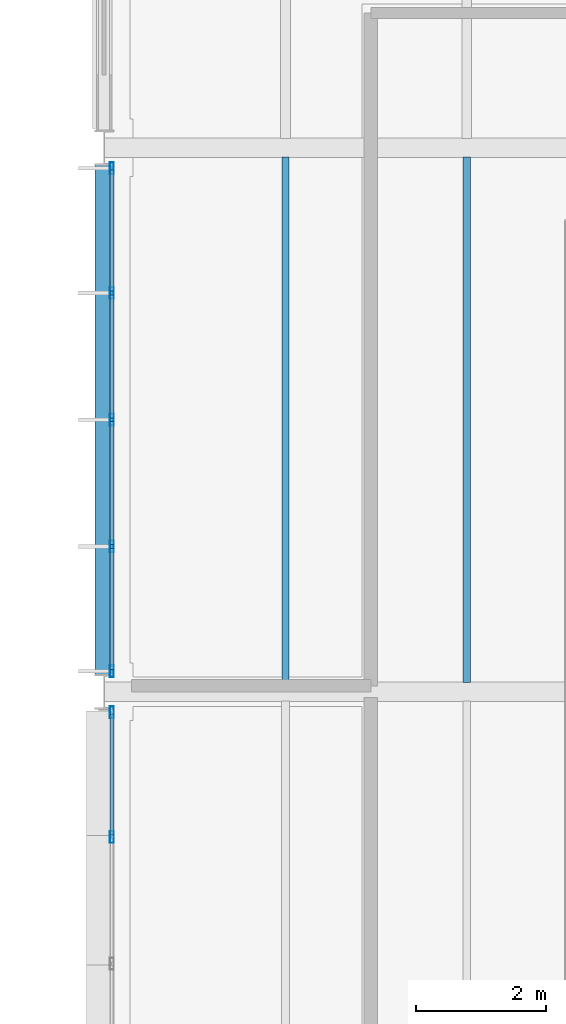
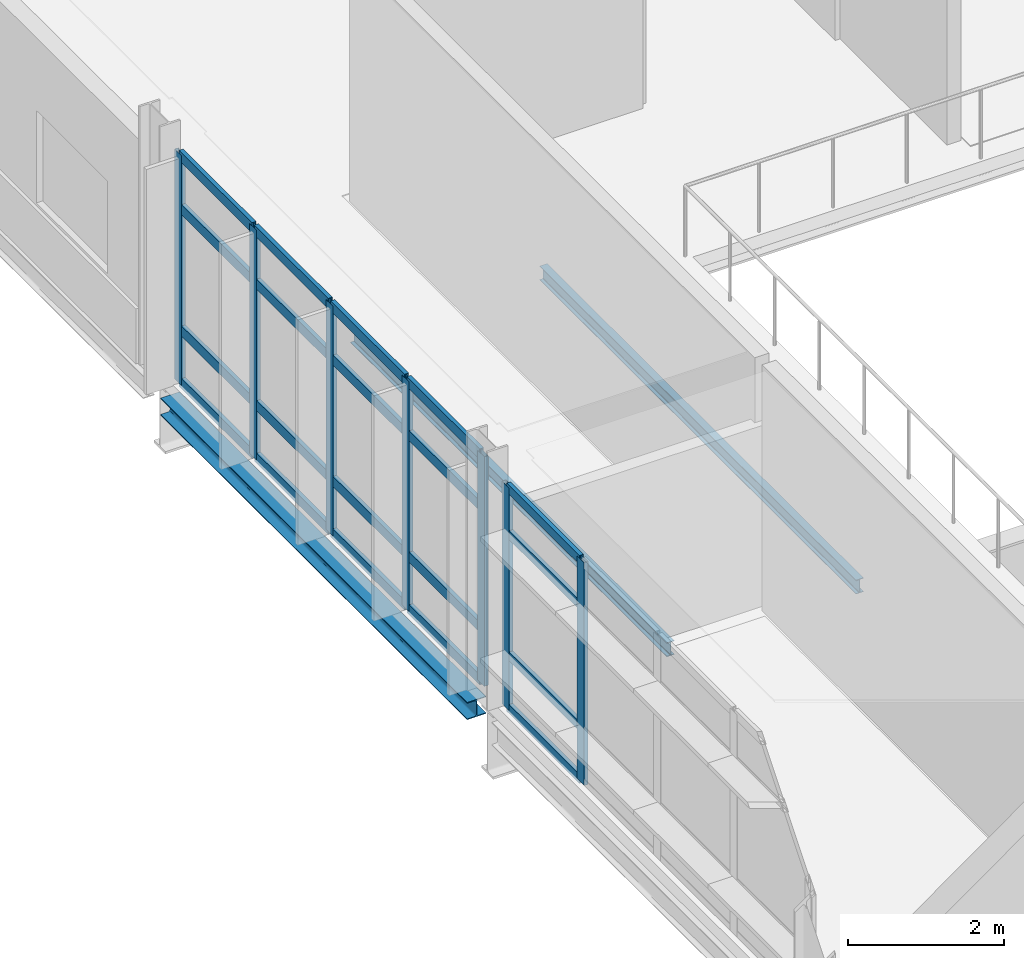
# One storey, part 51 of 131: 27 members, 3 beams, 2 elements without a shape of their own.
"""IFC4 building model written with IfcOpenShell, lengths in metres."""

import ifcopenshell
import ifcopenshell.guid

model = None  # the IFC model being written
_history = None  # IfcOwnerHistory: only IFC2X3 demands one
_inside = {}  # id of a spatial element -> (the spatial element, [elements in it])
_under = {}  # id of a project, library or spatial element -> (it, [spatial elements below it])
_declared = {}  # id of a project -> (the project, [libraries it declares])
_typed = {}  # id of a type object -> (the type object, [elements of that type])
_made_of = {}  # id of a material, layer set ... -> (it, [elements and type objects made of it])


def new_model(schema):
    """Start an empty IFC model of exactly this schema.

    Asked for "IFC4X3", IfcOpenShell would pick the latest addendum, in which some entities
    have other attributes; the version numbers below select the first issue.
    IFC2X3 requires an IfcOwnerHistory on every rooted entity: one is made here for all.
    """
    global model, _history
    if schema == "IFC4X3":
        model = ifcopenshell.file(schema_version=(4, 3, 0, 0))
    else:
        model = ifcopenshell.file(schema=schema)
    _inside.clear()
    _under.clear()
    _declared.clear()
    _typed.clear()
    _made_of.clear()
    _history = None
    if model.schema == "IFC2X3":
        org = make("IfcOrganization", Name="unknown")
        user = make(
            "IfcPersonAndOrganization",
            ThePerson=make("IfcPerson", FamilyName="unknown"),
            TheOrganization=org,
        )
        app = make(
            "IfcApplication",
            ApplicationDeveloper=org,
            Version="unknown",
            ApplicationFullName="unknown",
            ApplicationIdentifier="unknown",
        )
        _history = make(
            "IfcOwnerHistory",
            OwningUser=user,
            OwningApplication=app,
            ChangeAction="ADDED",
            CreationDate=0,
        )
    return model


def make(cls, **values):
    """One entity of the class cls with the attributes given. An attribute that is None is left unset."""
    return model.create_entity(
        cls, **{name: value for name, value in values.items() if value is not None}
    )


def rooted(cls, **values):
    """An entity with a GlobalId (a new one), such as an element, a storey or a relation."""
    return make(cls, GlobalId=ifcopenshell.guid.new(), OwnerHistory=_history, **values)


def si_unit(unit_type, name, prefix=None):
    """IfcSIUnit, for example si_unit("LENGTHUNIT", "METRE", prefix="MILLI")."""
    return make("IfcSIUnit", UnitType=unit_type, Prefix=prefix, Name=name)


def assignment(units):
    """IfcUnitAssignment: the units of a project."""
    return None if units is None else make("IfcUnitAssignment", Units=units)


def point(xyz):
    """IfcCartesianPoint."""
    return None if xyz is None else make("IfcCartesianPoint", Coordinates=xyz)


def direction(xyz):
    """IfcDirection."""
    return None if xyz is None else make("IfcDirection", DirectionRatios=xyz)


def frame(location, z_axis=None, x_axis=None):
    """IfcAxis2Placement3D, a coordinate frame: its origin and axes. An axis left out is left unset."""
    return make(
        "IfcAxis2Placement3D",
        Location=point(location),
        Axis=direction(z_axis),
        RefDirection=direction(x_axis),
    )


def frame_2d(location, x_axis=None):
    """IfcAxis2Placement2D, a coordinate frame in the plane: its origin and x axis."""
    return make(
        "IfcAxis2Placement2D", Location=point(location), RefDirection=direction(x_axis)
    )


def origin():
    """The frame at (0, 0, 0) with its axes left unset."""
    return frame((0.0, 0.0, 0.0))


def origin_2d():
    """The frame at (0, 0) in the plane with its x axis left unset."""
    return frame_2d((0.0, 0.0))


def place(relative_to, where):
    """IfcLocalPlacement: puts the frame where relative to a parent placement (None: the world)."""
    return make(
        "IfcLocalPlacement", PlacementRelTo=relative_to, RelativePlacement=where
    )


def context(
    kind, dimensions, precision=None, world=None, true_north=None, identifier=None
):
    """IfcGeometricRepresentationContext, for example the 3D "Model" context."""
    return make(
        "IfcGeometricRepresentationContext",
        ContextIdentifier=identifier,
        ContextType=kind,
        CoordinateSpaceDimension=dimensions,
        Precision=precision,
        WorldCoordinateSystem=world,
        TrueNorth=true_north,
    )


def subcontext(parent, identifier, kind, view, scale=None):
    """IfcGeometricRepresentationSubContext, for example "Body" below "Model"."""
    return make(
        "IfcGeometricRepresentationSubContext",
        ContextIdentifier=identifier,
        ContextType=kind,
        ParentContext=parent,
        TargetScale=scale,
        TargetView=view,
    )


def project(units=None, contexts=None):
    """IfcProject with its units and contexts."""
    return rooted(
        "IfcProject",
        Name="project",
        RepresentationContexts=contexts,
        UnitsInContext=assignment(units),
    )


def spatial(cls, under=None, at=None, **own):
    """A site, building, storey or space (cls), placed at a placement, below another one or the project."""
    s = rooted(cls, ObjectPlacement=at, **own)
    if under is not None:
        _under.setdefault(under.id(), (under, []))[1].append(s)
    return s


def profile(cls, at=None, kind="AREA", **sizes):
    """A parametric profile (cls). Its sizes go by their IFC names, for example OverallWidth=200.0."""
    return make(cls, ProfileType=kind, Position=at, **sizes)


def hollow_rectangle(**sizes):
    """IfcRectangleHollowProfileDef."""
    return profile("IfcRectangleHollowProfileDef", **sizes)


def i_section(**sizes):
    """IfcIShapeProfileDef."""
    return profile("IfcIShapeProfileDef", **sizes)


def extrude(swept, where, along, depth):
    """IfcExtrudedAreaSolid: the profile swept, set in the frame where, extruded along a direction by depth."""
    return make(
        "IfcExtrudedAreaSolid",
        SweptArea=swept,
        Position=where,
        ExtrudedDirection=direction(along),
        Depth=depth,
    )


def shape(context_of_items, identifier, shape_type, items):
    """IfcShapeRepresentation: the items that make up one representation, for example the "Body"."""
    return make(
        "IfcShapeRepresentation",
        ContextOfItems=context_of_items,
        RepresentationIdentifier=identifier,
        RepresentationType=shape_type,
        Items=items,
    )


def material(Name=None, Category=None):
    """IfcMaterial."""
    return make("IfcMaterial", Name=Name, Category=Category)


def material_profile(
    of_material, cross_section, Name=None, Category=None, Priority=None
):
    """IfcMaterialProfile: a cross section and its material."""
    return make(
        "IfcMaterialProfile",
        Name=Name,
        Material=of_material,
        Profile=cross_section,
        Priority=Priority,
        Category=Category,
    )


def profile_set(profiles, Name=None, composite=None):
    """IfcMaterialProfileSet."""
    return make(
        "IfcMaterialProfileSet",
        Name=Name,
        MaterialProfiles=profiles,
        CompositeProfile=composite,
    )


def made_of(thing, what):
    """Note that an element or type object is made of a material, layer set ...; save() writes the relation."""
    if what is not None:
        _made_of.setdefault(what.id(), (what, []))[1].append(thing)
    return thing


def type_object(cls, material=None, **own):
    """A type object (cls), such as IfcWallType, which elements share."""
    return made_of(rooted(cls, **own), material)


def element(
    cls,
    number,
    at=None,
    inside=None,
    cuts=None,
    type_object=None,
    material=None,
    context=None,
    identifier="Body",
    shape_type=None,
    held_by="IfcProductDefinitionShape",
    body=None,
    shapes=None,
    **own,
):
    """One element of the class cls, such as IfcWall. Its Tag is "e" and its number.

    at: its placement. inside: the storey or other place that contains it. cuts: it is an
    opening in that element (IfcRelVoidsElement). A single representation is given by context,
    identifier, shape_type and body (its items); several are given by shapes. held_by: the class
    of the entity that holds the representations. save() writes the other relations.
    """
    e = rooted(cls, Tag="e%d" % number, ObjectPlacement=at, **own)
    if body is not None:
        shapes = [shape(context, identifier, shape_type, body)]
    if shapes is not None:
        e.Representation = make(held_by, Representations=shapes)
    if inside is not None:
        _inside.setdefault(inside.id(), (inside, []))[1].append(e)
    if cuts is not None:
        rooted(
            "IfcRelVoidsElement", RelatingBuildingElement=cuts, RelatedOpeningElement=e
        )
    if type_object is not None:
        _typed.setdefault(type_object.id(), (type_object, []))[1].append(e)
    return made_of(e, material)


def aggregate(whole, parts):
    """IfcRelAggregates: a whole, such as a stair, and the parts it consists of."""
    return rooted("IfcRelAggregates", RelatingObject=whole, RelatedObjects=parts)


def save(model, path):
    """Write the relations noted so far, then the file.

    IfcRelAggregates (storeys below a building ...), IfcRelContainedInSpatialStructure (elements
    in a storey), IfcRelDefinesByType, IfcRelAssociatesMaterial and IfcRelDeclares: one each for
    every whole, place, type object, material and project.
    """
    for whole, parts in _under.values():
        aggregate(whole, parts)
    for where, things in _inside.values():
        rooted(
            "IfcRelContainedInSpatialStructure",
            RelatedElements=things,
            RelatingStructure=where,
        )
    for kind, things in _typed.values():
        rooted("IfcRelDefinesByType", RelatedObjects=things, RelatingType=kind)
    for what, things in _made_of.values():
        rooted("IfcRelAssociatesMaterial", RelatedObjects=things, RelatingMaterial=what)
    for by, libraries in _declared.values():
        rooted("IfcRelDeclares", RelatingContext=by, RelatedDefinitions=libraries)
    model.write(path)


model = new_model("IFC4")

# Units and contexts
model_context = context("Model", 3, precision=1e-05, world=origin(), true_north=direction((0.0, 1.0)))
body_context = subcontext(model_context, "Body", "Model", "MODEL_VIEW")
ifc_project = project(units=[si_unit("LENGTHUNIT", "METRE"), si_unit("AREAUNIT", "SQUARE_METRE"), si_unit("VOLUMEUNIT", "CUBIC_METRE"), si_unit("PLANEANGLEUNIT", "RADIAN"), si_unit("MASSUNIT", "GRAM", prefix="KILO")], contexts=[model_context])

# Site, building, storey
site_placement = place(None, origin())
site = spatial("IfcSite", under=ifc_project, at=site_placement, CompositionType="ELEMENT")
building_placement = place(site_placement, origin())
building = spatial("IfcBuilding", under=site, at=building_placement, Name="Mersafa Astral City Hall", CompositionType="ELEMENT")
storey_placement = place(building_placement, frame((0.0, 0.0, 13.949951171875)))
storey = spatial("IfcBuildingStorey", under=building, at=storey_placement, Name="L03", CompositionType="ELEMENT", Elevation=13.949951171875)

# Curtain wall, members
ifc_material_1 = material(Name="Anodised bronze aluminium framing", Category="aluminium")
curtain_wall_type_1 = type_object("IfcCurtainWallType", Name="ENV-CW-1", PredefinedType="USERDEFINED", material=ifc_material_1)
curtain_wall_1_placement = place(storey_placement, origin())
curtain_wall_1 = element("IfcCurtainWall", 1, at=curtain_wall_1_placement, inside=storey, type_object=curtain_wall_type_1, Name="L03 Unitised solar curtain wall 186", ObjectType="UNITISED CURTAIN WALL", PredefinedType="USERDEFINED")
ifc_material_profile_1 = material_profile(ifc_material_1, hollow_rectangle(XDim=0.06005859375, YDim=0.179931640625, WallThickness=0.00390625, at=origin_2d()), Name="RHS 60x180x4")
ifc_profile_set_1 = profile_set([ifc_material_profile_1], Name="Anodised bronze aluminium framing")
member_type_1 = type_object("IfcMemberType", Name="ENV-CW-MUL-1", PredefinedType="MULLION", material=ifc_profile_set_1)
member_1_placement = place(storey_placement, frame((92.52001953125, 75.282958984375, -0.001953125), z_axis=(0.0, 0.0, 1.0), x_axis=(1.0, 0.0, 0.0)))
member_1 = element("IfcMember", 2, at=member_1_placement, type_object=member_type_1, Name="CW-1 mullion 1", PredefinedType="MULLION", context=body_context, shape_type="SweptSolid", body=[
    extrude(hollow_rectangle(XDim=0.06005859375, YDim=0.179931640625, WallThickness=0.00390625, at=origin_2d()), origin(), (0.0, 0.0, 1.0), 3.593994140625),
])
member_2_placement = place(storey_placement, frame((92.52001953125, 73.3564453125, -0.001953125), z_axis=(0.0, 0.0, 1.0), x_axis=(1.0, 0.0, 0.0)))
member_2 = element("IfcMember", 3, at=member_2_placement, type_object=member_type_1, Name="CW-1 mullion 2", PredefinedType="MULLION", context=body_context, shape_type="SweptSolid", body=[
    extrude(hollow_rectangle(XDim=0.06005859375, YDim=0.179931640625, WallThickness=0.00390625, at=origin_2d()), origin(), (0.0, 0.0, 1.0), 3.593994140625),
])
member_3_placement = place(storey_placement, frame((92.52001953125, 71.39990234375, -0.001953125), z_axis=(0.0, 0.0, 1.0), x_axis=(1.0, 0.0, 0.0)))
member_3 = element("IfcMember", 4, at=member_3_placement, type_object=member_type_1, Name="CW-1 mullion 3", PredefinedType="MULLION", context=body_context, shape_type="SweptSolid", body=[
    extrude(hollow_rectangle(XDim=0.06005859375, YDim=0.179931640625, WallThickness=0.00390625, at=origin_2d()), origin(), (0.0, 0.0, 1.0), 3.593994140625),
])
member_4_placement = place(storey_placement, frame((92.52001953125, 69.443603515625, -0.001953125), z_axis=(0.0, 0.0, 1.0), x_axis=(1.0, 0.0, 0.0)))
member_4 = element("IfcMember", 5, at=member_4_placement, type_object=member_type_1, Name="CW-1 mullion 4", PredefinedType="MULLION", context=body_context, shape_type="SweptSolid", body=[
    extrude(hollow_rectangle(XDim=0.06005859375, YDim=0.179931640625, WallThickness=0.00390625, at=origin_2d()), origin(), (0.0, 0.0, 1.0), 3.593994140625),
])
member_5_placement = place(storey_placement, frame((92.52001953125, 67.51708984375, -0.001953125), z_axis=(0.0, 0.0, 1.0), x_axis=(1.0, 0.0, 0.0)))
member_5 = element("IfcMember", 6, at=member_5_placement, type_object=member_type_1, Name="CW-1 mullion 5", PredefinedType="MULLION", context=body_context, shape_type="SweptSolid", body=[
    extrude(hollow_rectangle(XDim=0.06005859375, YDim=0.179931640625, WallThickness=0.00390625, at=origin_2d()), origin(), (0.0, 0.0, 1.0), 3.593994140625),
])

curtain_wall_type_2 = type_object("IfcCurtainWallType", Name="ENV-CW-2", PredefinedType="USERDEFINED", material=ifc_material_1)
curtain_wall_2_placement = place(storey_placement, origin())
curtain_wall_2 = element("IfcCurtainWall", 7, at=curtain_wall_2_placement, inside=storey, type_object=curtain_wall_type_2, Name="L03 Unitised solar curtain wall 187", ObjectType="UNITISED CURTAIN WALL", PredefinedType="USERDEFINED")
member_6_placement = place(storey_placement, frame((92.52001953125, 66.883056640625, -0.001953125), z_axis=(0.0, 0.0, 1.0), x_axis=(1.0, 0.0, 0.0)))
member_6 = element("IfcMember", 8, at=member_6_placement, type_object=member_type_1, Name="CW-2 mullion 1", PredefinedType="MULLION", context=body_context, shape_type="SweptSolid", body=[
    extrude(hollow_rectangle(XDim=0.06005859375, YDim=0.179931640625, WallThickness=0.00390625, at=origin_2d()), origin(), (0.0, 0.0, 1.0), 3.489013671875),
])
member_7_placement = place(storey_placement, frame((92.52001953125, 64.95654296875, -0.001953125), z_axis=(0.0, 0.0, 1.0), x_axis=(1.0, 0.0, 0.0)))
member_7 = element("IfcMember", 9, at=member_7_placement, type_object=member_type_1, Name="CW-2 mullion 2", PredefinedType="MULLION", context=body_context, shape_type="SweptSolid", body=[
    extrude(hollow_rectangle(XDim=0.06005859375, YDim=0.179931640625, WallThickness=0.00390625, at=origin_2d()), origin(), (0.0, 0.0, 1.0), 3.489013671875),
])
ifc_material_profile_2 = material_profile(ifc_material_1, hollow_rectangle(XDim=0.06005859375, YDim=0.139892578125, WallThickness=0.00390625, at=origin_2d()), Name="RHS 60x140x4")
ifc_profile_set_2 = profile_set([ifc_material_profile_2], Name="Anodised bronze aluminium framing")
member_type_2 = type_object("IfcMemberType", Name="ENV-CW-TRN-1", PredefinedType="USERDEFINED", material=ifc_profile_set_2)
member_8_placement = place(storey_placement, frame((92.52001953125, 66.85302734375, 0.028076171875), z_axis=(0.0, -1.0, 0.0), x_axis=(1.0, 0.0, 0.0)))
member_8 = element("IfcMember", 10, at=member_8_placement, type_object=member_type_2, Name="CW-2 transom 1.1", ObjectType="TRANSOM", PredefinedType="USERDEFINED", context=body_context, shape_type="SweptSolid", body=[
    extrude(hollow_rectangle(XDim=0.06005859375, YDim=0.139892578125, WallThickness=0.00390625, at=origin_2d()), origin(), (0.0, 0.0, 1.0), 1.866455078125),
])
member_9_placement = place(storey_placement, frame((92.52001953125, 66.85302734375, 0.85009765625), z_axis=(0.0, -1.0, 0.0), x_axis=(1.0, 0.0, 0.0)))
member_9 = element("IfcMember", 11, at=member_9_placement, type_object=member_type_2, Name="CW-2 transom 1.2", ObjectType="TRANSOM", PredefinedType="USERDEFINED", context=body_context, shape_type="SweptSolid", body=[
    extrude(hollow_rectangle(XDim=0.06005859375, YDim=0.139892578125, WallThickness=0.00390625, at=origin_2d()), origin(), (0.0, 0.0, 1.0), 1.866455078125),
])
member_10_placement = place(storey_placement, frame((92.52001953125, 66.85302734375, 2.75), z_axis=(0.0, -1.0, 0.0), x_axis=(1.0, 0.0, 0.0)))
member_10 = element("IfcMember", 12, at=member_10_placement, type_object=member_type_2, Name="CW-2 transom 1.3", ObjectType="TRANSOM", PredefinedType="USERDEFINED", context=body_context, shape_type="SweptSolid", body=[
    extrude(hollow_rectangle(XDim=0.06005859375, YDim=0.139892578125, WallThickness=0.00390625, at=origin_2d()), origin(), (0.0, 0.0, 1.0), 1.866455078125),
])
member_11_placement = place(storey_placement, frame((92.52001953125, 66.85302734375, 3.45703125), z_axis=(0.0, -1.0, 0.0), x_axis=(1.0, 0.0, 0.0)))
member_11 = element("IfcMember", 13, at=member_11_placement, type_object=member_type_2, Name="CW-2 transom 1.4", ObjectType="TRANSOM", PredefinedType="USERDEFINED", context=body_context, shape_type="SweptSolid", body=[
    extrude(hollow_rectangle(XDim=0.06005859375, YDim=0.139892578125, WallThickness=0.00390625, at=origin_2d()), origin(), (0.0, 0.0, 1.0), 1.866455078125),
])
aggregate(curtain_wall_2, [member_6, member_7, member_8, member_9, member_10, member_11])

# Member
ifc_material_profile_3 = material_profile(ifc_material_1, hollow_rectangle(XDim=0.06005859375, YDim=0.159912109375, WallThickness=0.00390625, at=origin_2d()), Name="RHS 60x160x4")
ifc_profile_set_3 = profile_set([ifc_material_profile_3], Name="Anodised bronze aluminium framing")
member_type_3 = type_object("IfcMemberType", Name="ENV-CW-TRN-2", PredefinedType="USERDEFINED", material=ifc_profile_set_3)
member_12_placement = place(storey_placement, frame((92.52001953125, 75.2529296875, 0.028076171875), z_axis=(0.0, -1.0, 0.0), x_axis=(1.0, 0.0, 0.0)))
member_12 = element("IfcMember", 14, at=member_12_placement, type_object=member_type_3, Name="CW-1 transom 1.1", ObjectType="TRANSOM", PredefinedType="USERDEFINED", context=body_context, shape_type="SweptSolid", body=[
    extrude(hollow_rectangle(XDim=0.06005859375, YDim=0.159912109375, WallThickness=0.00390625, at=origin_2d()), origin(), (0.0, 0.0, 1.0), 1.866455078125),
])

member_13_placement = place(storey_placement, frame((92.52001953125, 75.2529296875, 0.85009765625), z_axis=(0.0, -1.0, 0.0), x_axis=(1.0, 0.0, 0.0)))
member_13 = element("IfcMember", 15, at=member_13_placement, type_object=member_type_3, Name="CW-1 transom 1.2", ObjectType="TRANSOM", PredefinedType="USERDEFINED", context=body_context, shape_type="SweptSolid", body=[
    extrude(hollow_rectangle(XDim=0.06005859375, YDim=0.159912109375, WallThickness=0.00390625, at=origin_2d()), origin(), (0.0, 0.0, 1.0), 1.866455078125),
])

member_14_placement = place(storey_placement, frame((92.52001953125, 75.2529296875, 2.75), z_axis=(0.0, -1.0, 0.0), x_axis=(1.0, 0.0, 0.0)))
member_14 = element("IfcMember", 16, at=member_14_placement, type_object=member_type_3, Name="CW-1 transom 1.3", ObjectType="TRANSOM", PredefinedType="USERDEFINED", context=body_context, shape_type="SweptSolid", body=[
    extrude(hollow_rectangle(XDim=0.06005859375, YDim=0.159912109375, WallThickness=0.00390625, at=origin_2d()), origin(), (0.0, 0.0, 1.0), 1.866455078125),
])

member_15_placement = place(storey_placement, frame((92.52001953125, 75.2529296875, 3.56201171875), z_axis=(0.0, -1.0, 0.0), x_axis=(1.0, 0.0, 0.0)))
member_15 = element("IfcMember", 17, at=member_15_placement, type_object=member_type_3, Name="CW-1 transom 1.4", ObjectType="TRANSOM", PredefinedType="USERDEFINED", context=body_context, shape_type="SweptSolid", body=[
    extrude(hollow_rectangle(XDim=0.06005859375, YDim=0.159912109375, WallThickness=0.00390625, at=origin_2d()), origin(), (0.0, 0.0, 1.0), 1.866455078125),
])

member_16_placement = place(storey_placement, frame((92.52001953125, 73.326416015625, 0.028076171875), z_axis=(0.0, -1.0, 0.0), x_axis=(1.0, 0.0, 0.0)))
member_16 = element("IfcMember", 18, at=member_16_placement, type_object=member_type_3, Name="CW-1 transom 2.1", ObjectType="TRANSOM", PredefinedType="USERDEFINED", context=body_context, shape_type="SweptSolid", body=[
    extrude(hollow_rectangle(XDim=0.06005859375, YDim=0.159912109375, WallThickness=0.00390625, at=origin_2d()), origin(), (0.0, 0.0, 1.0), 1.896484375),
])

member_17_placement = place(storey_placement, frame((92.52001953125, 73.326416015625, 0.85009765625), z_axis=(0.0, -1.0, 0.0), x_axis=(1.0, 0.0, 0.0)))
member_17 = element("IfcMember", 19, at=member_17_placement, type_object=member_type_3, Name="CW-1 transom 2.2", ObjectType="TRANSOM", PredefinedType="USERDEFINED", context=body_context, shape_type="SweptSolid", body=[
    extrude(hollow_rectangle(XDim=0.06005859375, YDim=0.159912109375, WallThickness=0.00390625, at=origin_2d()), origin(), (0.0, 0.0, 1.0), 1.896484375),
])

member_18_placement = place(storey_placement, frame((92.52001953125, 73.326416015625, 2.75), z_axis=(0.0, -1.0, 0.0), x_axis=(1.0, 0.0, 0.0)))
member_18 = element("IfcMember", 20, at=member_18_placement, type_object=member_type_3, Name="CW-1 transom 2.3", ObjectType="TRANSOM", PredefinedType="USERDEFINED", context=body_context, shape_type="SweptSolid", body=[
    extrude(hollow_rectangle(XDim=0.06005859375, YDim=0.159912109375, WallThickness=0.00390625, at=origin_2d()), origin(), (0.0, 0.0, 1.0), 1.896484375),
])

member_19_placement = place(storey_placement, frame((92.52001953125, 73.326416015625, 3.56201171875), z_axis=(0.0, -1.0, 0.0), x_axis=(1.0, 0.0, 0.0)))
member_19 = element("IfcMember", 21, at=member_19_placement, type_object=member_type_3, Name="CW-1 transom 2.4", ObjectType="TRANSOM", PredefinedType="USERDEFINED", context=body_context, shape_type="SweptSolid", body=[
    extrude(hollow_rectangle(XDim=0.06005859375, YDim=0.159912109375, WallThickness=0.00390625, at=origin_2d()), origin(), (0.0, 0.0, 1.0), 1.896484375),
])

member_20_placement = place(storey_placement, frame((92.52001953125, 71.3701171875, 0.028076171875), z_axis=(0.0, -1.0, 0.0), x_axis=(1.0, 0.0, 0.0)))
member_20 = element("IfcMember", 22, at=member_20_placement, type_object=member_type_3, Name="CW-1 transom 3.1", ObjectType="TRANSOM", PredefinedType="USERDEFINED", context=body_context, shape_type="SweptSolid", body=[
    extrude(hollow_rectangle(XDim=0.06005859375, YDim=0.159912109375, WallThickness=0.00390625, at=origin_2d()), origin(), (0.0, 0.0, 1.0), 1.896728515625),
])

member_21_placement = place(storey_placement, frame((92.52001953125, 71.3701171875, 0.85009765625), z_axis=(0.0, -1.0, 0.0), x_axis=(1.0, 0.0, 0.0)))
member_21 = element("IfcMember", 23, at=member_21_placement, type_object=member_type_3, Name="CW-1 transom 3.2", ObjectType="TRANSOM", PredefinedType="USERDEFINED", context=body_context, shape_type="SweptSolid", body=[
    extrude(hollow_rectangle(XDim=0.06005859375, YDim=0.159912109375, WallThickness=0.00390625, at=origin_2d()), origin(), (0.0, 0.0, 1.0), 1.896728515625),
])

member_22_placement = place(storey_placement, frame((92.52001953125, 71.3701171875, 2.75), z_axis=(0.0, -1.0, 0.0), x_axis=(1.0, 0.0, 0.0)))
member_22 = element("IfcMember", 24, at=member_22_placement, type_object=member_type_3, Name="CW-1 transom 3.3", ObjectType="TRANSOM", PredefinedType="USERDEFINED", context=body_context, shape_type="SweptSolid", body=[
    extrude(hollow_rectangle(XDim=0.06005859375, YDim=0.159912109375, WallThickness=0.00390625, at=origin_2d()), origin(), (0.0, 0.0, 1.0), 1.896728515625),
])

member_23_placement = place(storey_placement, frame((92.52001953125, 71.3701171875, 3.56201171875), z_axis=(0.0, -1.0, 0.0), x_axis=(1.0, 0.0, 0.0)))
member_23 = element("IfcMember", 25, at=member_23_placement, type_object=member_type_3, Name="CW-1 transom 3.4", ObjectType="TRANSOM", PredefinedType="USERDEFINED", context=body_context, shape_type="SweptSolid", body=[
    extrude(hollow_rectangle(XDim=0.06005859375, YDim=0.159912109375, WallThickness=0.00390625, at=origin_2d()), origin(), (0.0, 0.0, 1.0), 1.896728515625),
])

member_24_placement = place(storey_placement, frame((92.52001953125, 69.41357421875, 0.028076171875), z_axis=(0.0, -1.0, 0.0), x_axis=(1.0, 0.0, 0.0)))
member_24 = element("IfcMember", 26, at=member_24_placement, type_object=member_type_3, Name="CW-1 transom 4.1", ObjectType="TRANSOM", PredefinedType="USERDEFINED", context=body_context, shape_type="SweptSolid", body=[
    extrude(hollow_rectangle(XDim=0.06005859375, YDim=0.159912109375, WallThickness=0.00390625, at=origin_2d()), origin(), (0.0, 0.0, 1.0), 1.866455078125),
])

member_25_placement = place(storey_placement, frame((92.52001953125, 69.41357421875, 0.85009765625), z_axis=(0.0, -1.0, 0.0), x_axis=(1.0, 0.0, 0.0)))
member_25 = element("IfcMember", 27, at=member_25_placement, type_object=member_type_3, Name="CW-1 transom 4.2", ObjectType="TRANSOM", PredefinedType="USERDEFINED", context=body_context, shape_type="SweptSolid", body=[
    extrude(hollow_rectangle(XDim=0.06005859375, YDim=0.159912109375, WallThickness=0.00390625, at=origin_2d()), origin(), (0.0, 0.0, 1.0), 1.866455078125),
])

member_26_placement = place(storey_placement, frame((92.52001953125, 69.41357421875, 2.75), z_axis=(0.0, -1.0, 0.0), x_axis=(1.0, 0.0, 0.0)))
member_26 = element("IfcMember", 28, at=member_26_placement, type_object=member_type_3, Name="CW-1 transom 4.3", ObjectType="TRANSOM", PredefinedType="USERDEFINED", context=body_context, shape_type="SweptSolid", body=[
    extrude(hollow_rectangle(XDim=0.06005859375, YDim=0.159912109375, WallThickness=0.00390625, at=origin_2d()), origin(), (0.0, 0.0, 1.0), 1.866455078125),
])

member_27_placement = place(storey_placement, frame((92.52001953125, 69.41357421875, 3.56201171875), z_axis=(0.0, -1.0, 0.0), x_axis=(1.0, 0.0, 0.0)))
member_27 = element("IfcMember", 29, at=member_27_placement, type_object=member_type_3, Name="CW-1 transom 4.4", ObjectType="TRANSOM", PredefinedType="USERDEFINED", context=body_context, shape_type="SweptSolid", body=[
    extrude(hollow_rectangle(XDim=0.06005859375, YDim=0.159912109375, WallThickness=0.00390625, at=origin_2d()), origin(), (0.0, 0.0, 1.0), 1.866455078125),
])

aggregate(curtain_wall_1, [member_1, member_2, member_3, member_4, member_5, member_12, member_13, member_14, member_15, member_16, member_17, member_18, member_19, member_20, member_21, member_22, member_23, member_24, member_25, member_26, member_27])

# Beams
ifc_material_2 = material(Name="Steel S355", Category="steel")
ifc_material_profile_4 = material_profile(ifc_material_2, i_section(OverallWidth=0.110107421875, OverallDepth=0.219970703125, WebThickness=0.005859375, FlangeThickness=0.00927734375, FilletRadius=0.011962890625, at=origin_2d()), Name="IPE 220")
ifc_profile_set_4 = profile_set([ifc_material_profile_4], Name="Steel S355")
beam_type_1 = type_object("IfcBeamType", Name="STR-BM-JOIST-IPE220", PredefinedType="JOIST", material=ifc_profile_set_4)
for number, where, z_axis, x_axis, name in (
    (30, (95.199951171875, 67.344970703125, -0.31005859375), (0.0, 1.0, 0.0), (-1.0, 0.0, 0.0), "L03 Composite secondary floor joist 586"),
    (31, (98.0, 67.344970703125, -0.31005859375), (0.0, 1.0, 0.0), (-1.0, 0.0, 0.0), "L03 Composite secondary floor joist 587"),
):
    element("IfcBeam", number, at=place(storey_placement, frame(where, z_axis=z_axis, x_axis=x_axis)), inside=storey, type_object=beam_type_1, Name=name, PredefinedType="JOIST", context=body_context, shape_type="SweptSolid", body=[
        extrude(i_section(OverallWidth=0.110107421875, OverallDepth=0.219970703125, WebThickness=0.005859375, FlangeThickness=0.00927734375, FilletRadius=0.011962890625, at=origin_2d()), origin(), (0.0, 0.0, 1.0), 8.110107421875),
    ])
ifc_material_profile_5 = material_profile(ifc_material_2, i_section(OverallWidth=0.280029296875, OverallDepth=0.27001953125, WebThickness=0.008056640625, FlangeThickness=0.012939453125, FilletRadius=0.02392578125, at=origin_2d()), Name="HEA 280")
ifc_profile_set_5 = profile_set([ifc_material_profile_5], Name="Steel S355")
beam_type_2 = type_object("IfcBeamType", Name="STR-BM-SPANDREL-HEA280", PredefinedType="SPANDREL", material=ifc_profile_set_5)
beam_placement = place(storey_placement, frame((92.39990234375, 67.469970703125, -0.3349609375), z_axis=(0.0, 1.0, 0.0), x_axis=(-1.0, 0.0, 0.0)))
element("IfcBeam", 32, at=beam_placement, inside=storey, type_object=beam_type_2, Name="L03 Primary girder Y 11-8", PredefinedType="SPANDREL", context=body_context, shape_type="SweptSolid", body=[
    extrude(i_section(OverallWidth=0.280029296875, OverallDepth=0.27001953125, WebThickness=0.008056640625, FlangeThickness=0.012939453125, FilletRadius=0.02392578125, at=origin_2d()), origin(), (0.0, 0.0, 1.0), 7.860107421875),
])

save(model, "model.ifc")
